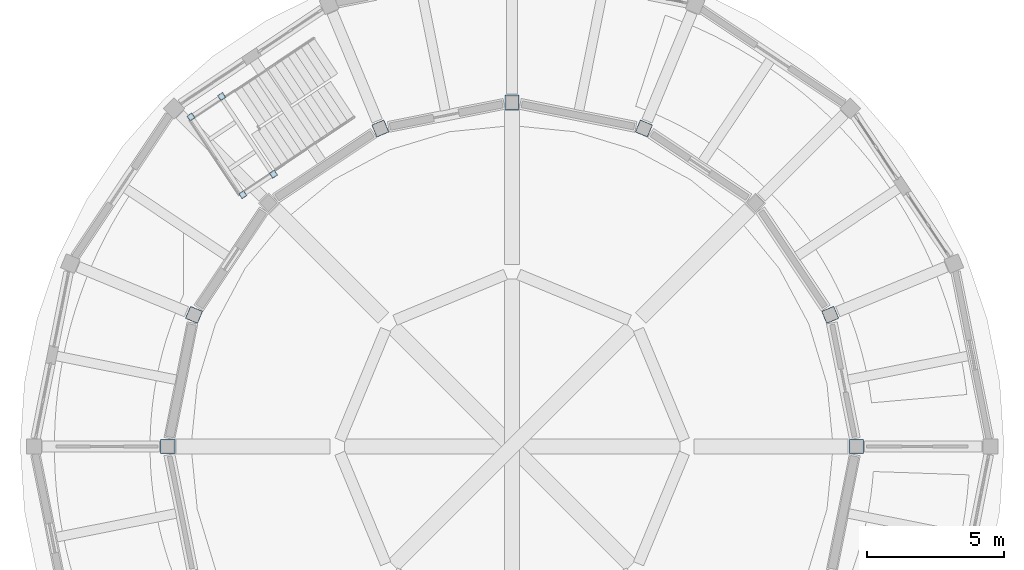
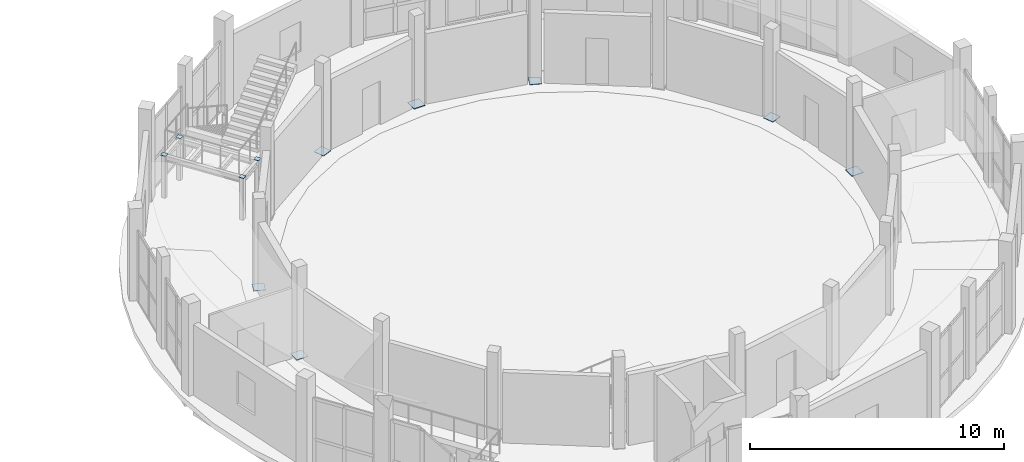
# One storey, part 64 of 92: 11 plates.
"""IFC4 building model written with IfcOpenShell, lengths in metres."""

from ifc_helpers import new_model, si_unit, direction, frame, origin, origin_2d, place, context, subcontext, project, spatial, rectangle, extrude, material, layer, layer_set, type_object, element, save


model = new_model("IFC4")

# Units and contexts
model_context = context("Model", 3, precision=1e-05, world=origin(), true_north=direction((0.0, 1.0)))
body_context = subcontext(model_context, "Body", "Model", "MODEL_VIEW")
ifc_project = project(units=[si_unit("LENGTHUNIT", "METRE"), si_unit("AREAUNIT", "SQUARE_METRE"), si_unit("VOLUMEUNIT", "CUBIC_METRE"), si_unit("PLANEANGLEUNIT", "RADIAN"), si_unit("MASSUNIT", "GRAM", prefix="KILO")], contexts=[model_context])

# Site, building, storey
site_placement = place(None, origin())
site = spatial("IfcSite", under=ifc_project, at=site_placement, CompositionType="ELEMENT")
building_placement = place(site_placement, origin())
building = spatial("IfcBuilding", under=site, at=building_placement, Name="Caldaven Crescent School", CompositionType="ELEMENT")
storey_placement = place(building_placement, origin())
storey = spatial("IfcBuildingStorey", under=building, at=storey_placement, Name="L00", CompositionType="ELEMENT", Elevation=0.0)

# Plates
ifc_material = material(Name="Steel ASTM A572 Grade 50", Category="steel")
ifc_layer_1 = layer(ifc_material, 0.02001953125)
ifc_layer_set_1 = layer_set([ifc_layer_1], Name="Steel ASTM A572 Grade 50")
plate_type_1 = type_object("IfcPlateType", Name="PLT-BAS1", PredefinedType="SHEET", material=ifc_layer_set_1)
for number, where, z_axis, x_axis, name in (
    (1, (165.10009765625, 98.5, 0.0), (0.0, 0.0, 1.0), (1.0, 0.0, 0.0), "PLT-BAS-V1-00"),
    (2, (152.5, 111.10009765625, 0.0), (0.0, 0.0, 1.0), (0.0, 1.0, 0.0), "PLT-BAS-V1-04"),
    (3, (139.89990234375, 98.5, 0.0), (0.0, 0.0, 1.0), (-1.0, 0.0, 0.0), "PLT-BAS-V1-08"),
):
    element("IfcPlate", number, at=place(storey_placement, frame(where, z_axis=z_axis, x_axis=x_axis)), inside=storey, type_object=plate_type_1, Name=name, PredefinedType="SHEET", context=body_context, shape_type="SweptSolid", body=[
        extrude(rectangle(XDim=0.52001953125, YDim=0.52001953125, at=origin_2d()), origin(), (0.0, 0.0, 1.0), 0.02001953125),
    ])
ifc_layer_2 = layer(ifc_material, 0.01806640625)
ifc_layer_set_2 = layer_set([ifc_layer_2], Name="Steel ASTM A572 Grade 50")
plate_type_2 = type_object("IfcPlateType", Name="PLT-BAS3", PredefinedType="SHEET", material=ifc_layer_set_2)
for number, where, z_axis, x_axis, name in (
    (4, (164.140869140625, 103.32177734375, 0.0009765625), (0.0, 0.0, 1.0), (0.923879532511, 0.382683432365, 0.0), "PLT-BAS-V1-01"),
    (5, (157.32177734375, 110.140869140625, 0.0009765625), (0.0, 0.0, 1.0), (0.382683432365, 0.923879532511, 0.0), "PLT-BAS-V1-03"),
    (6, (147.67822265625, 110.140869140625, 0.0009765625), (0.0, 0.0, 1.0), (-0.382683432365, 0.923879532511, 0.0), "PLT-BAS-V1-05"),
    (7, (140.859130859375, 103.32177734375, 0.0009765625), (0.0, 0.0, 1.0), (-0.923879532511, 0.382683432365, 0.0), "PLT-BAS-V1-07"),
):
    element("IfcPlate", number, at=place(storey_placement, frame(where, z_axis=z_axis, x_axis=x_axis)), inside=storey, type_object=plate_type_2, Name=name, PredefinedType="SHEET", context=body_context, shape_type="SweptSolid", body=[
        extrude(rectangle(XDim=0.47998046875, YDim=0.47998046875, at=origin_2d()), origin(), (0.0, 0.0, 1.0), 0.01806640625),
    ])
ifc_layer_3 = layer(ifc_material, 0.01806640625)
ifc_layer_set_3 = layer_set([ifc_layer_3], Name="Steel ASTM A572 Grade 50")
plate_type_3 = type_object("IfcPlateType", Name="PLT-CAP18", PredefinedType="USERDEFINED", material=ifc_layer_set_3)
for number, where, z_axis, x_axis, name in (
    (8, (141.86962890625, 111.3134765625, 2.014892578125), (0.0, 0.0, 1.0), (-0.831469612303, -0.55557023302, 0.0), "CAP-STPOST-STV1-L00-A"),
    (9, (143.769775390625, 108.469970703125, 2.014892578125), (0.0, 0.0, 1.0), (-0.831469612303, -0.55557023302, 0.0), "CAP-STPOST-STV1-L00-B"),
    (10, (140.7470703125, 110.5634765625, 2.014892578125), (0.0, 0.0, 1.0), (-0.831469612303, -0.55557023302, 0.0), "CAP-STPOST-STV1-L00-C"),
    (11, (142.647216796875, 107.719970703125, 2.014892578125), (0.0, 0.0, 1.0), (-0.831469612303, -0.55557023302, 0.0), "CAP-STPOST-STV1-L00-D"),
):
    element("IfcPlate", number, at=place(storey_placement, frame(where, z_axis=z_axis, x_axis=x_axis)), inside=storey, type_object=plate_type_3, Name=name, ObjectType="CAP_PLATE", PredefinedType="USERDEFINED", context=body_context, shape_type="SweptSolid", body=[
        extrude(rectangle(XDim=0.219970703125, YDim=0.219970703125, at=origin_2d()), origin(), (0.0, 0.0, 1.0), 0.01806640625),
    ])

save(model, "model.ifc")
